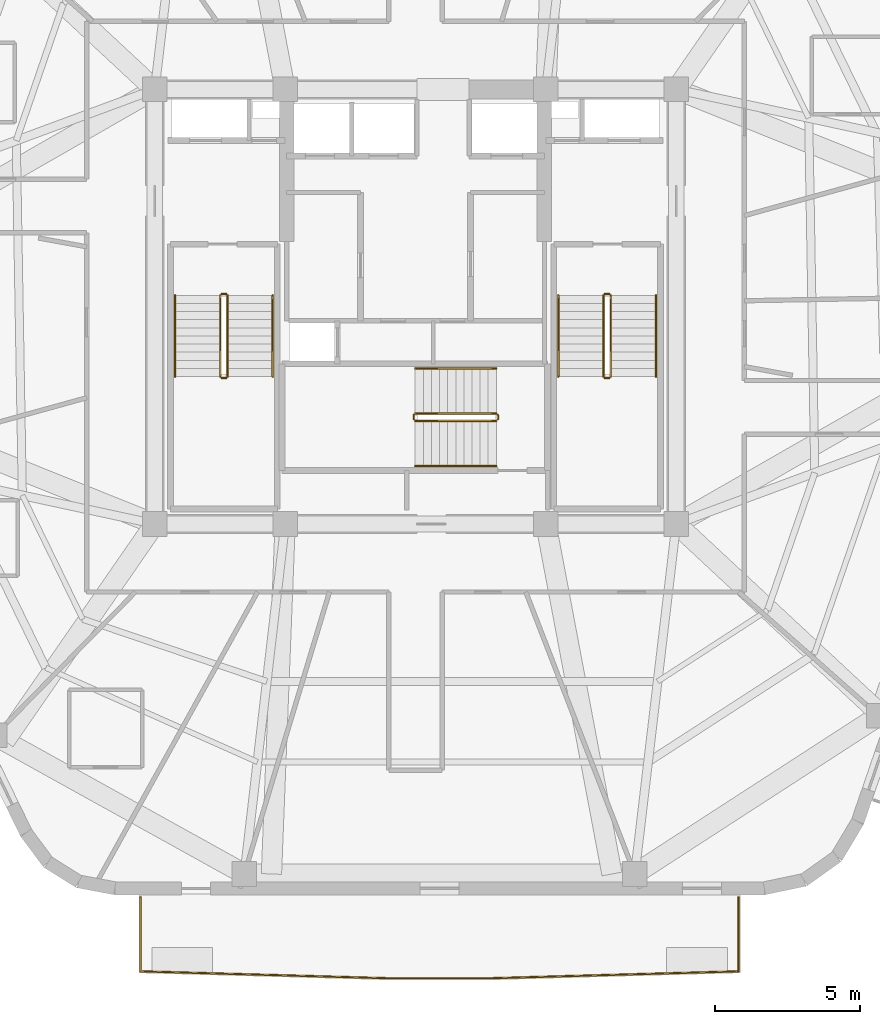
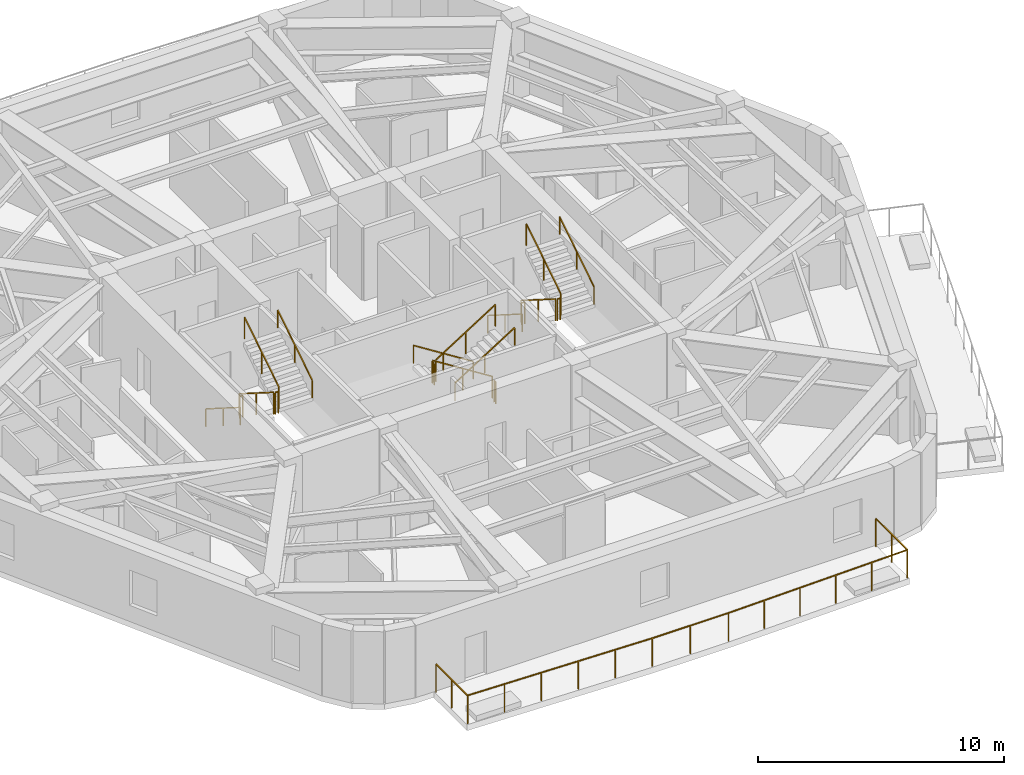
# One storey, part 8 of 9: 19 railings.
"""IFC4 building model written with IfcOpenShell, lengths in metres."""

from ifc_helpers import new_model, si_unit, direction, frame, origin, origin_2d, place, context, subcontext, project, spatial, rectangle, extrude, material, layer, layer_set, type_object, element, save


model = new_model("IFC4")

# Units and contexts
model_context = context("Model", 3, precision=1e-05, world=origin(), true_north=direction((0.0, 1.0)))
body_context = subcontext(model_context, "Body", "Model", "MODEL_VIEW")
ifc_project = project(units=[si_unit("LENGTHUNIT", "METRE"), si_unit("AREAUNIT", "SQUARE_METRE"), si_unit("VOLUMEUNIT", "CUBIC_METRE"), si_unit("PLANEANGLEUNIT", "RADIAN"), si_unit("MASSUNIT", "GRAM", prefix="KILO")], contexts=[model_context])

# Site, building, storey
site_placement = place(None, origin())
site = spatial("IfcSite", under=ifc_project, at=site_placement, CompositionType="ELEMENT")
building_placement = place(site_placement, origin())
building = spatial("IfcBuilding", under=site, at=building_placement, Name="Kilnhurst Terrace Hotel", CompositionType="ELEMENT")
storey_placement = place(building_placement, frame((0.0, 0.0, 301.5)))
storey = spatial("IfcBuildingStorey", under=building, at=storey_placement, Name="L75", CompositionType="ELEMENT", Elevation=301.5)

# Railings
ifc_material_1 = material(Name="Laminated SentryGlas and Stainless Steel AISI 316L Balustrade", Category="steel")
ifc_layer_1 = layer(ifc_material_1, 0.070068359375, Name="Laminated SentryGlas and Stainless Steel AISI 316L Balustrade")
ifc_layer_set_1 = layer_set([ifc_layer_1], Name="Laminated SentryGlas and Stainless Steel AISI 316L Balustrade")
railing_type_1 = type_object("IfcRailingType", Name="RLG-BAL-1420", PredefinedType="BALUSTRADE", material=ifc_layer_set_1)
railing_1_placement = place(storey_placement, frame((11.151611328125, -20.3798828125, 0.0)))
element("IfcRailing", 1, at=railing_1_placement, inside=storey, type_object=railing_type_1, Name="L75 Exterior Terrace Guardrail BAL-L1A.1", PredefinedType="BALUSTRADE", context=body_context, shape_type="SweptSolid", body=[
    extrude(rectangle(XDim=0.048095703125, YDim=0.048095703125, at=origin_2d()), frame((0.0, 0.0, 1.39599609375), z_axis=(0.0, -1.0, 0.0), x_axis=(1.0, 0.0, 0.0)), (0.0, 0.0, 1.0), 2.561767578125),
    extrude(rectangle(XDim=0.048095703125, YDim=0.048095703125, at=origin_2d()), frame((0.0, -2.561767578125, 1.39599609375), z_axis=(-0.999610218954, -0.027917918323, 0.0), x_axis=(0.027917918323, -0.999610218954, 0.0)), (0.0, 0.0, 1.0), 8.53515625),
    extrude(rectangle(XDim=0.048095703125, YDim=0.048095703125, at=origin_2d()), frame((-8.53173828125, -2.800048828125, 1.39599609375), z_axis=(-1.0, 0.0, 0.0), x_axis=(0.0, -1.0, 0.0)), (0.0, 0.0, 1.0), 3.577880859375),
    extrude(rectangle(XDim=0.048095703125, YDim=0.048095703125, at=origin_2d()), frame((-12.109619140625, -2.800048828125, 1.39599609375), z_axis=(-0.999610218954, 0.027917918323, 0.0), x_axis=(-0.027917918323, -0.999610218954, 0.0)), (0.0, 0.0, 1.0), 8.53515625),
    extrude(rectangle(XDim=0.048095703125, YDim=0.048095703125, at=origin_2d()), frame((-20.641357421875, -2.561767578125, 1.39599609375), z_axis=(0.0, 1.0, 0.0), x_axis=(-1.0, 0.0, 0.0)), (0.0, 0.0, 1.0), 2.561767578125),
    extrude(rectangle(XDim=0.0419921875, YDim=0.0419921875, at=origin_2d()), origin(), (0.0, 0.0, 1.0), 1.371826171875),
    extrude(rectangle(XDim=0.0419921875, YDim=0.0419921875, at=origin_2d()), frame((0.0, -1.28076171875, 0.0)), (0.0, 0.0, 1.0), 1.371826171875),
    extrude(rectangle(XDim=0.0419921875, YDim=0.0419921875, at=origin_2d()), frame((0.0, -2.561767578125, 0.0)), (0.0, 0.0, 1.0), 1.371826171875),
    extrude(rectangle(XDim=0.0419921875, YDim=0.0419921875, at=origin_2d()), frame((-1.706298828125, -2.609375, 0.0)), (0.0, 0.0, 1.0), 1.371826171875),
    extrude(rectangle(XDim=0.0419921875, YDim=0.0419921875, at=origin_2d()), frame((-3.41259765625, -2.656982421875, 0.0)), (0.0, 0.0, 1.0), 1.371826171875),
    extrude(rectangle(XDim=0.0419921875, YDim=0.0419921875, at=origin_2d()), frame((-5.119140625, -2.704833984375, 0.0)), (0.0, 0.0, 1.0), 1.371826171875),
    extrude(rectangle(XDim=0.0419921875, YDim=0.0419921875, at=origin_2d()), frame((-6.825439453125, -2.75244140625, 0.0)), (0.0, 0.0, 1.0), 1.371826171875),
    extrude(rectangle(XDim=0.0419921875, YDim=0.0419921875, at=origin_2d()), frame((-8.53173828125, -2.800048828125, 0.0)), (0.0, 0.0, 1.0), 1.371826171875),
    extrude(rectangle(XDim=0.0419921875, YDim=0.0419921875, at=origin_2d()), frame((-10.32080078125, -2.800048828125, 0.0)), (0.0, 0.0, 1.0), 1.371826171875),
    extrude(rectangle(XDim=0.0419921875, YDim=0.0419921875, at=origin_2d()), frame((-12.109619140625, -2.800048828125, 0.0)), (0.0, 0.0, 1.0), 1.371826171875),
    extrude(rectangle(XDim=0.0419921875, YDim=0.0419921875, at=origin_2d()), frame((-13.81591796875, -2.75244140625, 0.0)), (0.0, 0.0, 1.0), 1.371826171875),
    extrude(rectangle(XDim=0.0419921875, YDim=0.0419921875, at=origin_2d()), frame((-15.522216796875, -2.704833984375, 0.0)), (0.0, 0.0, 1.0), 1.371826171875),
    extrude(rectangle(XDim=0.0419921875, YDim=0.0419921875, at=origin_2d()), frame((-17.228759765625, -2.656982421875, 0.0)), (0.0, 0.0, 1.0), 1.371826171875),
    extrude(rectangle(XDim=0.0419921875, YDim=0.0419921875, at=origin_2d()), frame((-18.93505859375, -2.609375, 0.0)), (0.0, 0.0, 1.0), 1.371826171875),
    extrude(rectangle(XDim=0.0419921875, YDim=0.0419921875, at=origin_2d()), frame((-20.641357421875, -2.561767578125, 0.0)), (0.0, 0.0, 1.0), 1.371826171875),
    extrude(rectangle(XDim=0.0419921875, YDim=0.0419921875, at=origin_2d()), frame((-20.641357421875, -1.28076171875, 0.0)), (0.0, 0.0, 1.0), 1.371826171875),
    extrude(rectangle(XDim=0.0419921875, YDim=0.0419921875, at=origin_2d()), frame((-20.641357421875, 0.0, 0.0)), (0.0, 0.0, 1.0), 1.371826171875),
])
ifc_material_2 = material(Name="Powder-Coated Steel ASTM A500 Grade B", Category="steel")
ifc_layer_2 = layer(ifc_material_2, 0.050048828125, Name="Powder-Coated Steel ASTM A500 Grade B")
ifc_layer_set_2 = layer_set([ifc_layer_2], Name="Powder-Coated Steel ASTM A500 Grade B")
railing_type_2 = type_object("IfcRailingType", Name="RLG-ST-GRD-1100", PredefinedType="GUARDRAIL", material=ifc_layer_set_2)
railing_2_placement = place(storey_placement, frame((-6.739990234375, 0.389892578125, 0.17724609375)))
element("IfcRailing", 2, at=railing_2_placement, inside=storey, type_object=railing_type_2, Name="L75 ST-1 stair guard 1", PredefinedType="GUARDRAIL", context=body_context, shape_type="SweptSolid", body=[
    extrude(rectangle(XDim=0.048095703125, YDim=0.048095703125, at=origin_2d()), frame((0.0, 0.0, 1.076171875), z_axis=(0.0, -0.844887892834, 0.53494340686), x_axis=(1.0, 0.0, 0.0)), (0.0, 0.0, 1.0), 3.313720703125),
    extrude(rectangle(XDim=0.0419921875, YDim=0.0419921875, at=origin_2d()), origin(), (0.0, 0.0, 1.0), 1.052001953125),
    extrude(rectangle(XDim=0.0419921875, YDim=0.0419921875, at=origin_2d()), frame((0.0, -1.39990234375, 0.88623046875)), (0.0, 0.0, 1.0), 1.052001953125),
    extrude(rectangle(XDim=0.0419921875, YDim=0.0419921875, at=origin_2d()), frame((0.0, -2.7998046875, 1.772705078125)), (0.0, 0.0, 1.0), 1.052001953125),
])
railing_3_placement = place(storey_placement, frame((-6.68994140625, -2.4599609375, 1.949951171875)))
element("IfcRailing", 3, at=railing_3_placement, inside=storey, type_object=railing_type_2, Name="L75 ST-1 stair guard 2", PredefinedType="GUARDRAIL", context=body_context, shape_type="SweptSolid", body=[
    extrude(rectangle(XDim=0.048095703125, YDim=0.048095703125, at=origin_2d()), frame((0.0, 0.0, 1.076171875), z_axis=(1.0, 0.0, 0.0), x_axis=(0.0, 1.0, 0.0)), (0.0, 0.0, 1.0), 0.14990234375),
    extrude(rectangle(XDim=0.0419921875, YDim=0.0419921875, at=origin_2d()), origin(), (0.0, 0.0, 1.0), 1.052001953125),
    extrude(rectangle(XDim=0.0419921875, YDim=0.0419921875, at=origin_2d()), frame((0.14990234375, 0.0, 0.0)), (0.0, 0.0, 1.0), 1.052001953125),
])
railing_4_placement = place(storey_placement, frame((-6.489990234375, -2.409912109375, 2.127197265625)))
element("IfcRailing", 4, at=railing_4_placement, inside=storey, type_object=railing_type_2, Name="L75 ST-1 stair guard 3", PredefinedType="GUARDRAIL", context=body_context, shape_type="SweptSolid", body=[
    extrude(rectangle(XDim=0.048095703125, YDim=0.048095703125, at=origin_2d()), frame((0.0, 0.0, 1.076171875), z_axis=(0.0, 0.844887892834, 0.53494340686), x_axis=(-1.0, 0.0, 0.0)), (0.0, 0.0, 1.0), 3.313720703125),
    extrude(rectangle(XDim=0.0419921875, YDim=0.0419921875, at=origin_2d()), origin(), (0.0, 0.0, 1.0), 1.052001953125),
    extrude(rectangle(XDim=0.0419921875, YDim=0.0419921875, at=origin_2d()), frame((0.0, 1.39990234375, 0.88623046875)), (0.0, 0.0, 1.0), 1.052001953125),
    extrude(rectangle(XDim=0.0419921875, YDim=0.0419921875, at=origin_2d()), frame((0.0, 2.7998046875, 1.772705078125)), (0.0, 0.0, 1.0), 1.052001953125),
])
railing_5_placement = place(storey_placement, frame((-6.68994140625, 0.43994140625, 0.0)))
element("IfcRailing", 5, at=railing_5_placement, inside=storey, type_object=railing_type_2, Name="L75 ST-1 stair guard 4", PredefinedType="GUARDRAIL", context=body_context, shape_type="SweptSolid", body=[
    extrude(rectangle(XDim=0.048095703125, YDim=0.048095703125, at=origin_2d()), frame((0.0, 0.0, 1.076171875), z_axis=(1.0, 0.0, 0.0), x_axis=(0.0, 1.0, 0.0)), (0.0, 0.0, 1.0), 0.14990234375),
    extrude(rectangle(XDim=0.0419921875, YDim=0.0419921875, at=origin_2d()), origin(), (0.0, 0.0, 1.0), 1.052001953125),
    extrude(rectangle(XDim=0.0419921875, YDim=0.0419921875, at=origin_2d()), frame((0.14990234375, 0.0, 0.0)), (0.0, 0.0, 1.0), 1.052001953125),
])
railing_6_placement = place(storey_placement, frame((6.489990234375, 0.389892578125, 0.17724609375)))
element("IfcRailing", 6, at=railing_6_placement, inside=storey, type_object=railing_type_2, Name="L75 ST-2 stair guard 1", PredefinedType="GUARDRAIL", context=body_context, shape_type="SweptSolid", body=[
    extrude(rectangle(XDim=0.048095703125, YDim=0.048095703125, at=origin_2d()), frame((0.0, 0.0, 1.076171875), z_axis=(0.0, -0.844887892834, 0.53494340686), x_axis=(1.0, 0.0, 0.0)), (0.0, 0.0, 1.0), 3.313720703125),
    extrude(rectangle(XDim=0.0419921875, YDim=0.0419921875, at=origin_2d()), origin(), (0.0, 0.0, 1.0), 1.052001953125),
    extrude(rectangle(XDim=0.0419921875, YDim=0.0419921875, at=origin_2d()), frame((0.0, -1.39990234375, 0.88623046875)), (0.0, 0.0, 1.0), 1.052001953125),
    extrude(rectangle(XDim=0.0419921875, YDim=0.0419921875, at=origin_2d()), frame((0.0, -2.7998046875, 1.772705078125)), (0.0, 0.0, 1.0), 1.052001953125),
])
railing_7_placement = place(storey_placement, frame((6.5400390625, -2.4599609375, 1.949951171875)))
element("IfcRailing", 7, at=railing_7_placement, inside=storey, type_object=railing_type_2, Name="L75 ST-2 stair guard 2", PredefinedType="GUARDRAIL", context=body_context, shape_type="SweptSolid", body=[
    extrude(rectangle(XDim=0.048095703125, YDim=0.048095703125, at=origin_2d()), frame((0.0, 0.0, 1.076171875), z_axis=(1.0, 0.0, 0.0), x_axis=(0.0, 1.0, 0.0)), (0.0, 0.0, 1.0), 0.14990234375),
    extrude(rectangle(XDim=0.0419921875, YDim=0.0419921875, at=origin_2d()), origin(), (0.0, 0.0, 1.0), 1.052001953125),
    extrude(rectangle(XDim=0.0419921875, YDim=0.0419921875, at=origin_2d()), frame((0.14990234375, 0.0, 0.0)), (0.0, 0.0, 1.0), 1.052001953125),
])
railing_8_placement = place(storey_placement, frame((6.739990234375, -2.409912109375, 2.127197265625)))
element("IfcRailing", 8, at=railing_8_placement, inside=storey, type_object=railing_type_2, Name="L75 ST-2 stair guard 3", PredefinedType="GUARDRAIL", context=body_context, shape_type="SweptSolid", body=[
    extrude(rectangle(XDim=0.048095703125, YDim=0.048095703125, at=origin_2d()), frame((0.0, 0.0, 1.076171875), z_axis=(0.0, 0.844887892834, 0.53494340686), x_axis=(-1.0, 0.0, 0.0)), (0.0, 0.0, 1.0), 3.313720703125),
    extrude(rectangle(XDim=0.0419921875, YDim=0.0419921875, at=origin_2d()), origin(), (0.0, 0.0, 1.0), 1.052001953125),
    extrude(rectangle(XDim=0.0419921875, YDim=0.0419921875, at=origin_2d()), frame((0.0, 1.39990234375, 0.88623046875)), (0.0, 0.0, 1.0), 1.052001953125),
    extrude(rectangle(XDim=0.0419921875, YDim=0.0419921875, at=origin_2d()), frame((0.0, 2.7998046875, 1.772705078125)), (0.0, 0.0, 1.0), 1.052001953125),
])
railing_9_placement = place(storey_placement, frame((6.5400390625, 0.43994140625, 0.0)))
element("IfcRailing", 9, at=railing_9_placement, inside=storey, type_object=railing_type_2, Name="L75 ST-2 stair guard 4", PredefinedType="GUARDRAIL", context=body_context, shape_type="SweptSolid", body=[
    extrude(rectangle(XDim=0.048095703125, YDim=0.048095703125, at=origin_2d()), frame((0.0, 0.0, 1.076171875), z_axis=(1.0, 0.0, 0.0), x_axis=(0.0, 1.0, 0.0)), (0.0, 0.0, 1.0), 0.14990234375),
    extrude(rectangle(XDim=0.0419921875, YDim=0.0419921875, at=origin_2d()), origin(), (0.0, 0.0, 1.0), 1.052001953125),
    extrude(rectangle(XDim=0.0419921875, YDim=0.0419921875, at=origin_2d()), frame((0.14990234375, 0.0, 0.0)), (0.0, 0.0, 1.0), 1.052001953125),
])
railing_10_placement = place(storey_placement, frame((2.7900390625, -3.68994140625, 0.17724609375)))
element("IfcRailing", 10, at=railing_10_placement, inside=storey, type_object=railing_type_2, Name="L75 ST-3 stair guard 1", PredefinedType="GUARDRAIL", context=body_context, shape_type="SweptSolid", body=[
    extrude(rectangle(XDim=0.048095703125, YDim=0.048095703125, at=origin_2d()), frame((0.0, 0.0, 1.076171875), z_axis=(-0.844908973607, 0.0, 0.534910110503), x_axis=(0.0, -1.0, 0.0)), (0.0, 0.0, 1.0), 3.31396484375),
    extrude(rectangle(XDim=0.0419921875, YDim=0.0419921875, at=origin_2d()), origin(), (0.0, 0.0, 1.0), 1.052001953125),
    extrude(rectangle(XDim=0.0419921875, YDim=0.0419921875, at=origin_2d()), frame((-1.39990234375, 0.0, 0.88623046875)), (0.0, 0.0, 1.0), 1.052001953125),
    extrude(rectangle(XDim=0.0419921875, YDim=0.0419921875, at=origin_2d()), frame((-2.800048828125, 0.0, 1.772705078125)), (0.0, 0.0, 1.0), 1.052001953125),
])
railing_11_placement = place(storey_placement, frame((-0.06005859375, -3.739990234375, 1.949951171875)))
element("IfcRailing", 11, at=railing_11_placement, inside=storey, type_object=railing_type_2, Name="L75 ST-3 stair guard 2", PredefinedType="GUARDRAIL", context=body_context, shape_type="SweptSolid", body=[
    extrude(rectangle(XDim=0.048095703125, YDim=0.048095703125, at=origin_2d()), frame((0.0, 0.0, 1.076171875), z_axis=(0.0, -1.0, 0.0), x_axis=(1.0, 0.0, 0.0)), (0.0, 0.0, 1.0), 0.14990234375),
    extrude(rectangle(XDim=0.0419921875, YDim=0.0419921875, at=origin_2d()), origin(), (0.0, 0.0, 1.0), 1.052001953125),
    extrude(rectangle(XDim=0.0419921875, YDim=0.0419921875, at=origin_2d()), frame((0.0, -0.14990234375, 0.0)), (0.0, 0.0, 1.0), 1.052001953125),
])
railing_12_placement = place(storey_placement, frame((-0.010009765625, -3.93994140625, 2.127197265625)))
element("IfcRailing", 12, at=railing_12_placement, inside=storey, type_object=railing_type_2, Name="L75 ST-3 stair guard 3", PredefinedType="GUARDRAIL", context=body_context, shape_type="SweptSolid", body=[
    extrude(rectangle(XDim=0.048095703125, YDim=0.048095703125, at=origin_2d()), frame((0.0, 0.0, 1.076171875), z_axis=(0.844908973607, 0.0, 0.534910110503), x_axis=(0.0, 1.0, 0.0)), (0.0, 0.0, 1.0), 3.31396484375),
    extrude(rectangle(XDim=0.0419921875, YDim=0.0419921875, at=origin_2d()), origin(), (0.0, 0.0, 1.0), 1.052001953125),
    extrude(rectangle(XDim=0.0419921875, YDim=0.0419921875, at=origin_2d()), frame((1.39990234375, 0.0, 0.88623046875)), (0.0, 0.0, 1.0), 1.052001953125),
    extrude(rectangle(XDim=0.0419921875, YDim=0.0419921875, at=origin_2d()), frame((2.800048828125, 0.0, 1.772705078125)), (0.0, 0.0, 1.0), 1.052001953125),
])
railing_13_placement = place(storey_placement, frame((2.840087890625, -3.739990234375, 0.0)))
element("IfcRailing", 13, at=railing_13_placement, inside=storey, type_object=railing_type_2, Name="L75 ST-3 stair guard 4", PredefinedType="GUARDRAIL", context=body_context, shape_type="SweptSolid", body=[
    extrude(rectangle(XDim=0.048095703125, YDim=0.048095703125, at=origin_2d()), frame((0.0, 0.0, 1.076171875), z_axis=(0.0, -1.0, 0.0), x_axis=(1.0, 0.0, 0.0)), (0.0, 0.0, 1.0), 0.14990234375),
    extrude(rectangle(XDim=0.0419921875, YDim=0.0419921875, at=origin_2d()), origin(), (0.0, 0.0, 1.0), 1.052001953125),
    extrude(rectangle(XDim=0.0419921875, YDim=0.0419921875, at=origin_2d()), frame((0.0, -0.14990234375, 0.0)), (0.0, 0.0, 1.0), 1.052001953125),
])
ifc_material_3 = material(Name="Brushed Stainless Steel AISI 304", Category="steel")
ifc_layer_3 = layer(ifc_material_3, 0.048095703125, Name="Brushed Stainless Steel AISI 304")
ifc_layer_set_3 = layer_set([ifc_layer_3], Name="Brushed Stainless Steel AISI 304")
railing_type_3 = type_object("IfcRailingType", Name="RLG-ST-HRL-900", PredefinedType="HANDRAIL", material=ifc_layer_set_3)
railing_14_placement = place(storey_placement, frame((-8.300048828125, 0.389892578125, 0.17724609375)))
element("IfcRailing", 14, at=railing_14_placement, inside=storey, type_object=railing_type_3, Name="L75 ST-1 stair handrail 1", PredefinedType="HANDRAIL", context=body_context, shape_type="SweptSolid", body=[
    extrude(rectangle(XDim=0.048095703125, YDim=0.048095703125, at=origin_2d()), frame((0.0, 0.0, 0.8759765625), z_axis=(0.0, -0.844887892834, 0.53494340686), x_axis=(1.0, 0.0, 0.0)), (0.0, 0.0, 1.0), 3.313720703125),
    extrude(rectangle(XDim=0.0419921875, YDim=0.0419921875, at=origin_2d()), origin(), (0.0, 0.0, 1.0), 0.851806640625),
    extrude(rectangle(XDim=0.0419921875, YDim=0.0419921875, at=origin_2d()), frame((0.0, -1.39990234375, 0.88623046875)), (0.0, 0.0, 1.0), 0.851806640625),
    extrude(rectangle(XDim=0.0419921875, YDim=0.0419921875, at=origin_2d()), frame((0.0, -2.7998046875, 1.772705078125)), (0.0, 0.0, 1.0), 0.851806640625),
])
railing_15_placement = place(storey_placement, frame((-4.929931640625, -2.409912109375, 2.127197265625)))
element("IfcRailing", 15, at=railing_15_placement, inside=storey, type_object=railing_type_3, Name="L75 ST-1 stair handrail 2", PredefinedType="HANDRAIL", context=body_context, shape_type="SweptSolid", body=[
    extrude(rectangle(XDim=0.048095703125, YDim=0.048095703125, at=origin_2d()), frame((0.0, 0.0, 0.8759765625), z_axis=(0.0, 0.844887892834, 0.53494340686), x_axis=(-1.0, 0.0, 0.0)), (0.0, 0.0, 1.0), 3.313720703125),
    extrude(rectangle(XDim=0.0419921875, YDim=0.0419921875, at=origin_2d()), origin(), (0.0, 0.0, 1.0), 0.851806640625),
    extrude(rectangle(XDim=0.0419921875, YDim=0.0419921875, at=origin_2d()), frame((0.0, 1.39990234375, 0.88623046875)), (0.0, 0.0, 1.0), 0.851806640625),
    extrude(rectangle(XDim=0.0419921875, YDim=0.0419921875, at=origin_2d()), frame((0.0, 2.7998046875, 1.772705078125)), (0.0, 0.0, 1.0), 0.851806640625),
])
railing_16_placement = place(storey_placement, frame((4.929931640625, 0.389892578125, 0.17724609375)))
element("IfcRailing", 16, at=railing_16_placement, inside=storey, type_object=railing_type_3, Name="L75 ST-2 stair handrail 1", PredefinedType="HANDRAIL", context=body_context, shape_type="SweptSolid", body=[
    extrude(rectangle(XDim=0.048095703125, YDim=0.048095703125, at=origin_2d()), frame((0.0, 0.0, 0.8759765625), z_axis=(0.0, -0.844887892834, 0.53494340686), x_axis=(1.0, 0.0, 0.0)), (0.0, 0.0, 1.0), 3.313720703125),
    extrude(rectangle(XDim=0.0419921875, YDim=0.0419921875, at=origin_2d()), origin(), (0.0, 0.0, 1.0), 0.851806640625),
    extrude(rectangle(XDim=0.0419921875, YDim=0.0419921875, at=origin_2d()), frame((0.0, -1.39990234375, 0.88623046875)), (0.0, 0.0, 1.0), 0.851806640625),
    extrude(rectangle(XDim=0.0419921875, YDim=0.0419921875, at=origin_2d()), frame((0.0, -2.7998046875, 1.772705078125)), (0.0, 0.0, 1.0), 0.851806640625),
])
railing_17_placement = place(storey_placement, frame((8.300048828125, -2.409912109375, 2.127197265625)))
element("IfcRailing", 17, at=railing_17_placement, inside=storey, type_object=railing_type_3, Name="L75 ST-2 stair handrail 2", PredefinedType="HANDRAIL", context=body_context, shape_type="SweptSolid", body=[
    extrude(rectangle(XDim=0.048095703125, YDim=0.048095703125, at=origin_2d()), frame((0.0, 0.0, 0.8759765625), z_axis=(0.0, 0.844887892834, 0.53494340686), x_axis=(-1.0, 0.0, 0.0)), (0.0, 0.0, 1.0), 3.313720703125),
    extrude(rectangle(XDim=0.0419921875, YDim=0.0419921875, at=origin_2d()), origin(), (0.0, 0.0, 1.0), 0.851806640625),
    extrude(rectangle(XDim=0.0419921875, YDim=0.0419921875, at=origin_2d()), frame((0.0, 1.39990234375, 0.88623046875)), (0.0, 0.0, 1.0), 0.851806640625),
    extrude(rectangle(XDim=0.0419921875, YDim=0.0419921875, at=origin_2d()), frame((0.0, 2.7998046875, 1.772705078125)), (0.0, 0.0, 1.0), 0.851806640625),
])
railing_18_placement = place(storey_placement, frame((2.7900390625, -2.1298828125, 0.17724609375)))
element("IfcRailing", 18, at=railing_18_placement, inside=storey, type_object=railing_type_3, Name="L75 ST-3 stair handrail 1", PredefinedType="HANDRAIL", context=body_context, shape_type="SweptSolid", body=[
    extrude(rectangle(XDim=0.048095703125, YDim=0.048095703125, at=origin_2d()), frame((0.0, 0.0, 0.8759765625), z_axis=(-0.844908973607, 0.0, 0.534910110503), x_axis=(0.0, -1.0, 0.0)), (0.0, 0.0, 1.0), 3.31396484375),
    extrude(rectangle(XDim=0.0419921875, YDim=0.0419921875, at=origin_2d()), origin(), (0.0, 0.0, 1.0), 0.851806640625),
    extrude(rectangle(XDim=0.0419921875, YDim=0.0419921875, at=origin_2d()), frame((-1.39990234375, 0.0, 0.88623046875)), (0.0, 0.0, 1.0), 0.851806640625),
    extrude(rectangle(XDim=0.0419921875, YDim=0.0419921875, at=origin_2d()), frame((-2.800048828125, 0.0, 1.772705078125)), (0.0, 0.0, 1.0), 0.851806640625),
])
railing_19_placement = place(storey_placement, frame((-0.010009765625, -5.5, 2.127197265625)))
element("IfcRailing", 19, at=railing_19_placement, inside=storey, type_object=railing_type_3, Name="L75 ST-3 stair handrail 2", PredefinedType="HANDRAIL", context=body_context, shape_type="SweptSolid", body=[
    extrude(rectangle(XDim=0.048095703125, YDim=0.048095703125, at=origin_2d()), frame((0.0, 0.0, 0.8759765625), z_axis=(0.844908973607, 0.0, 0.534910110503), x_axis=(0.0, 1.0, 0.0)), (0.0, 0.0, 1.0), 3.31396484375),
    extrude(rectangle(XDim=0.0419921875, YDim=0.0419921875, at=origin_2d()), origin(), (0.0, 0.0, 1.0), 0.851806640625),
    extrude(rectangle(XDim=0.0419921875, YDim=0.0419921875, at=origin_2d()), frame((1.39990234375, 0.0, 0.88623046875)), (0.0, 0.0, 1.0), 0.851806640625),
    extrude(rectangle(XDim=0.0419921875, YDim=0.0419921875, at=origin_2d()), frame((2.800048828125, 0.0, 1.772705078125)), (0.0, 0.0, 1.0), 0.851806640625),
])

save(model, "model.ifc")
